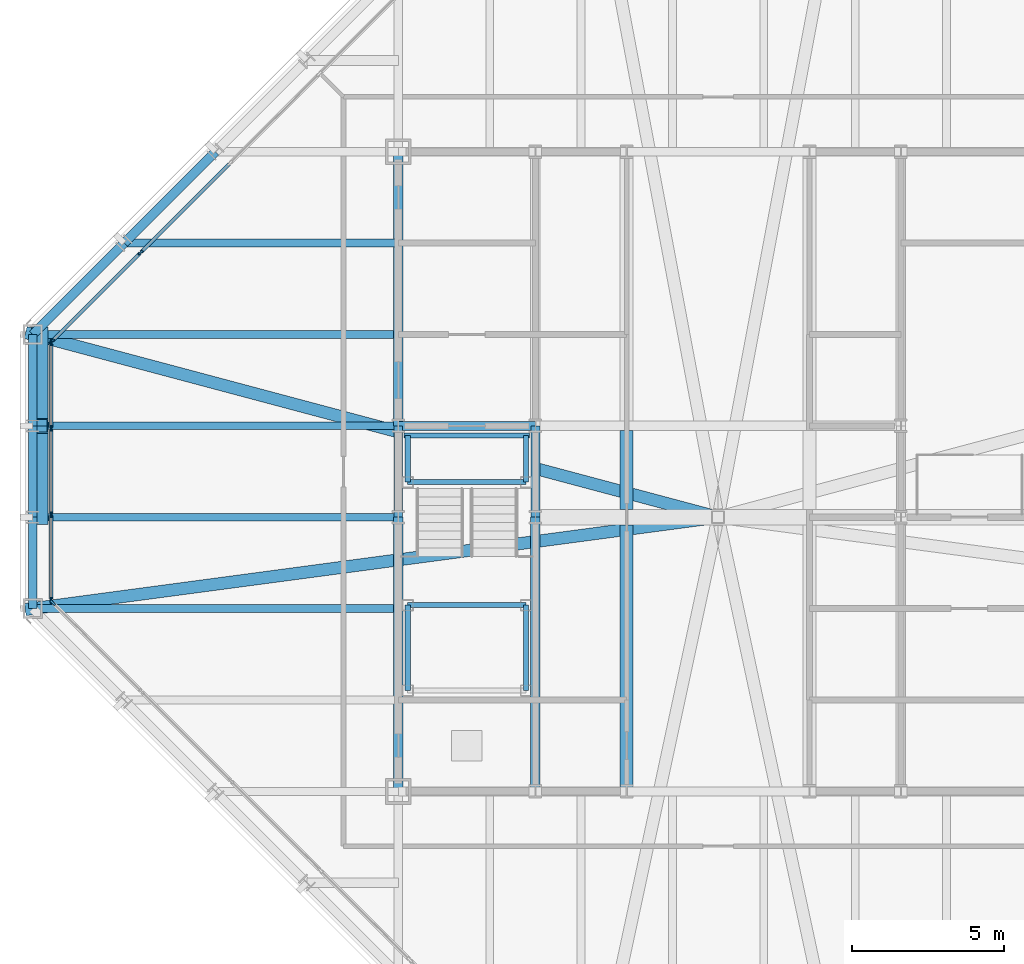
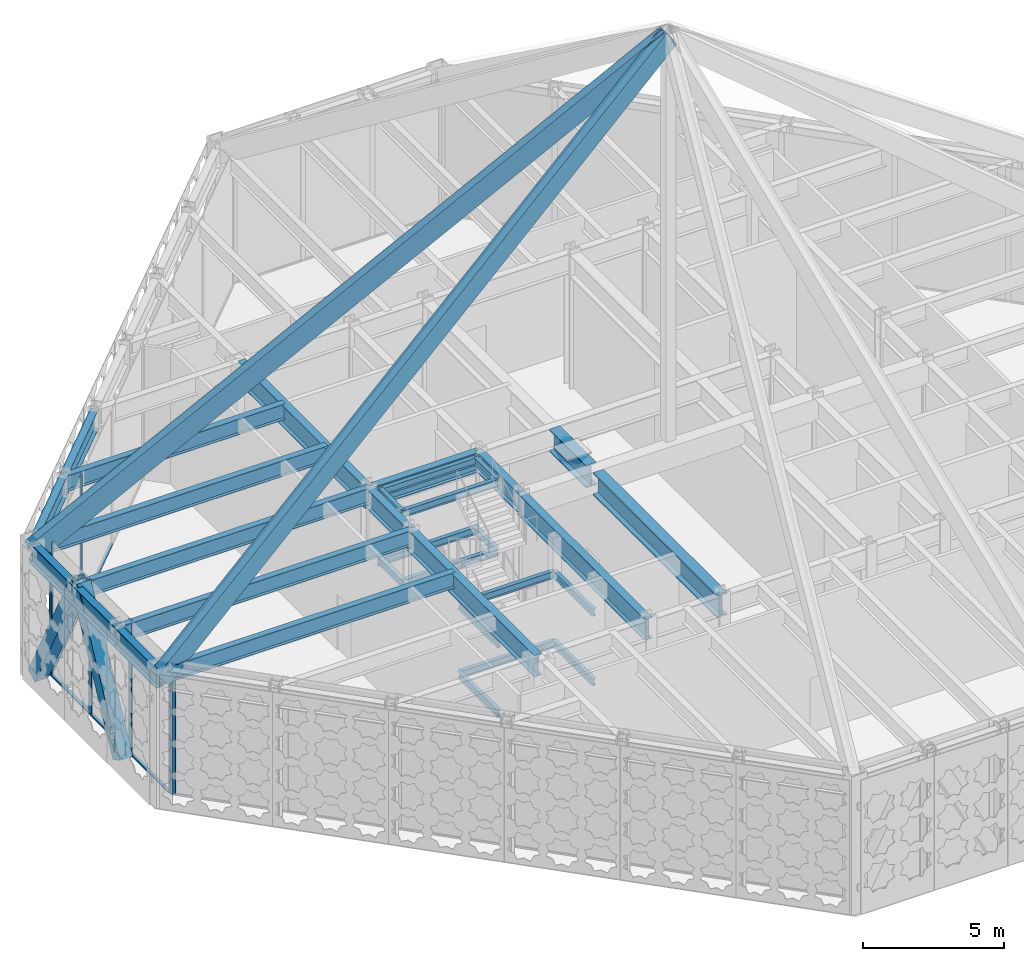
# One storey, part 6 of 30: 32 beams, 16 members, 3 elements without a shape of their own.
"""IFC4 building model written with IfcOpenShell, lengths in metres."""

from ifc_helpers import new_model, si_unit, direction, frame, origin, origin_2d, place, context, subcontext, project, spatial, rectangle, hollow_rectangle, i_section, extrude, material, layer, layer_set, material_profile, profile_set, type_object, element, aggregate, save


model = new_model("IFC4")

# Units and contexts
model_context = context("Model", 3, precision=1e-05, world=origin(), true_north=direction((0.0, 1.0)))
body_context = subcontext(model_context, "Body", "Model", "MODEL_VIEW")
ifc_project = project(units=[si_unit("LENGTHUNIT", "METRE"), si_unit("AREAUNIT", "SQUARE_METRE"), si_unit("VOLUMEUNIT", "CUBIC_METRE"), si_unit("PLANEANGLEUNIT", "RADIAN"), si_unit("MASSUNIT", "GRAM", prefix="KILO")], contexts=[model_context])

# Site, building, storey
site_placement = place(None, origin())
site = spatial("IfcSite", under=ifc_project, at=site_placement, CompositionType="ELEMENT")
building_placement = place(site_placement, origin())
building = spatial("IfcBuilding", under=site, at=building_placement, Name="Chuquiago Exchange Tower", CompositionType="ELEMENT")
storey_placement = place(building_placement, frame((0.0, 0.0, 306.0)))
storey = spatial("IfcBuildingStorey", under=building, at=storey_placement, Name="L68", CompositionType="ELEMENT", Elevation=306.0)

# Beams
ifc_material_1 = material(Name="Steel ASTM A992", Category="steel")
ifc_material_profile_1 = material_profile(ifc_material_1, i_section(OverallWidth=0.25390625, OverallDepth=0.683349609375, WebThickness=0.012451171875, FlangeThickness=0.018798828125, at=origin_2d()), Name="W27X94")
ifc_profile_set_1 = profile_set([ifc_material_profile_1], Name="Steel ASTM A992")
beam_type_1 = type_object("IfcBeamType", Name="B1 W27X94", PredefinedType="BEAM", material=ifc_profile_set_1)
for number, where, z_axis, x_axis, name in (
    (1, (12.0, 18.0, 5.45849609375), (-1.0, 0.0, 0.0), (0.0, -1.0, 0.0), "FB-ROOF-infill-12_18--0_18"),
    (2, (12.0, 21.0, 5.45849609375), (-1.0, 0.0, 0.0), (0.0, -1.0, 0.0), "FB-ROOF-infill-12_21--0_21"),
    (3, (12.0, 24.0, 5.45849609375), (-1.0, 0.0, 0.0), (0.0, -1.0, 0.0), "FB-ROOF-infill-12_24--0_24"),
    (4, (12.0, 27.0, 5.45849609375), (-1.0, 0.0, 0.0), (0.0, -1.0, 0.0), "FB-ROOF-infill-12_27--0_27"),
):
    element("IfcBeam", number, at=place(storey_placement, frame(where, z_axis=z_axis, x_axis=x_axis)), inside=storey, type_object=beam_type_1, Name=name, PredefinedType="BEAM", context=body_context, shape_type="SweptSolid", body=[
        extrude(i_section(OverallWidth=0.25390625, OverallDepth=0.683349609375, WebThickness=0.012451171875, FlangeThickness=0.018798828125, at=origin_2d()), origin(), (0.0, 0.0, 1.0), 12.0),
    ])
beam_1_placement = place(storey_placement, frame((12.0, 30.0, 5.45849609375), z_axis=(-1.0, 0.0, 0.0), x_axis=(0.0, -1.0, 0.0)))
element("IfcBeam", 5, at=beam_1_placement, inside=storey, type_object=beam_type_1, Name="FB-ROOF-infill-12_30-3_30", PredefinedType="BEAM", context=body_context, shape_type="SweptSolid", body=[
    extrude(i_section(OverallWidth=0.25390625, OverallDepth=0.683349609375, WebThickness=0.012451171875, FlangeThickness=0.018798828125, at=origin_2d()), origin(), (0.0, 0.0, 1.0), 9.0),
])
ifc_material_2 = material(Name="Steel ASTM A992", Category="steel")
ifc_material_profile_2 = material_profile(ifc_material_2, i_section(OverallWidth=0.307373046875, OverallDepth=0.927001953125, WebThickness=0.01953125, FlangeThickness=0.031982421875, at=origin_2d()), Name="W36X194")
ifc_profile_set_2 = profile_set([ifc_material_profile_2], Name="Steel ASTM A992")
beam_type_2 = type_object("IfcBeamType", Name="B10 W36X194", PredefinedType="BEAM", material=ifc_profile_set_2)
for number, where, z_axis, x_axis, name in (
    (6, (12.0, 12.0, 5.33642578125), (0.0, 1.0, 0.0), (-1.0, 0.0, 0.0), "CB-ROOF-12_12-12_21"),
    (7, (12.0, 24.0, 5.33642578125), (0.0, 1.0, 0.0), (-1.0, 0.0, 0.0), "CB-ROOF-12_24-12_33"),
    (8, (16.5, 12.0, 5.33642578125), (0.0, 1.0, 0.0), (-1.0, 0.0, 0.0), "CB-ROOF-16.5_12-16.5_21"),
):
    element("IfcBeam", number, at=place(storey_placement, frame(where, z_axis=z_axis, x_axis=x_axis)), inside=storey, type_object=beam_type_2, Name=name, PredefinedType="BEAM", context=body_context, shape_type="SweptSolid", body=[
        extrude(i_section(OverallWidth=0.307373046875, OverallDepth=0.927001953125, WebThickness=0.01953125, FlangeThickness=0.031982421875, at=origin_2d()), origin(), (0.0, 0.0, 1.0), 9.0),
    ])
ifc_material_3 = material(Name="Steel ASTM A992", Category="steel")
ifc_material_profile_3 = material_profile(ifc_material_3, i_section(OverallWidth=0.4267578125, OverallDepth=0.975341796875, WebThickness=0.031005859375, FlangeThickness=0.055908203125, at=origin_2d()), Name="W36X395")
ifc_profile_set_3 = profile_set([ifc_material_profile_3], Name="Steel ASTM A992")
beam_type_3 = type_object("IfcBeamType", Name="B12 W36X395", PredefinedType="BEAM", material=ifc_profile_set_3)
beam_2_placement = place(storey_placement, frame((19.5, 12.0, 5.312255859375), z_axis=(0.0, 1.0, 0.0), x_axis=(-1.0, 0.0, 0.0)))
element("IfcBeam", 9, at=beam_2_placement, inside=storey, type_object=beam_type_3, Name="CB-ROOF-19.5_12-19.5_20.75", PredefinedType="BEAM", context=body_context, shape_type="SweptSolid", body=[
    extrude(i_section(OverallWidth=0.4267578125, OverallDepth=0.975341796875, WebThickness=0.031005859375, FlangeThickness=0.055908203125, at=origin_2d()), origin(), (0.0, 0.0, 1.0), 8.75),
])
beam_3_placement = place(storey_placement, frame((19.5, 21.25, 5.312255859375), z_axis=(0.0, 1.0, 0.0), x_axis=(-1.0, 0.0, 0.0)))
element("IfcBeam", 10, at=beam_3_placement, inside=storey, type_object=beam_type_3, Name="CB-ROOF-19.5_21.25-19.5_23.8451", PredefinedType="BEAM", context=body_context, shape_type="SweptSolid", body=[
    extrude(i_section(OverallWidth=0.4267578125, OverallDepth=0.975341796875, WebThickness=0.031005859375, FlangeThickness=0.055908203125, at=origin_2d()), origin(), (0.0, 0.0, 1.0), 2.59521484375),
])
ifc_material_4 = material(Name="Steel ASTM A992", Category="steel")
ifc_material_profile_4 = material_profile(ifc_material_4, i_section(OverallWidth=0.2919921875, OverallDepth=0.8583984375, WebThickness=0.01708984375, FlangeThickness=0.031005859375, at=origin_2d()), Name="W33X169")
ifc_profile_set_4 = profile_set([ifc_material_profile_4], Name="Steel ASTM A992")
beam_type_4 = type_object("IfcBeamType", Name="B3 W33X169", PredefinedType="BEAM", material=ifc_profile_set_4)
for number, where, z_axis, x_axis, name in (
    (11, (12.0, 21.0, 5.37060546875), (0.0, 1.0, 0.0), (-1.0, 0.0, 0.0), "CB-ROOF-12_21-12_24"),
    (12, (16.5, 21.0, 5.37060546875), (0.0, 1.0, 0.0), (-1.0, 0.0, 0.0), "CB-ROOF-16.5_21-16.5_24"),
):
    element("IfcBeam", number, at=place(storey_placement, frame(where, z_axis=z_axis, x_axis=x_axis)), inside=storey, type_object=beam_type_4, Name=name, PredefinedType="BEAM", context=body_context, shape_type="SweptSolid", body=[
        extrude(i_section(OverallWidth=0.2919921875, OverallDepth=0.8583984375, WebThickness=0.01708984375, FlangeThickness=0.031005859375, at=origin_2d()), origin(), (0.0, 0.0, 1.0), 3.0),
    ])
beam_4_placement = place(storey_placement, frame((12.0, 24.0, 5.37060546875), z_axis=(1.0, 0.0, 0.0), x_axis=(0.0, 1.0, 0.0)))
element("IfcBeam", 13, at=beam_4_placement, inside=storey, type_object=beam_type_4, Name="CB-ROOF-12_24-16.5_24", PredefinedType="BEAM", context=body_context, shape_type="SweptSolid", body=[
    extrude(i_section(OverallWidth=0.2919921875, OverallDepth=0.8583984375, WebThickness=0.01708984375, FlangeThickness=0.031005859375, at=origin_2d()), origin(), (0.0, 0.0, 1.0), 4.5),
])

# Members
ifc_material_5 = material(Name="Steel ASTM A572 Grade 50", Category="steel")
ifc_material_profile_5 = material_profile(ifc_material_5, hollow_rectangle(XDim=0.39990234375, YDim=0.800048828125, WallThickness=0.0400390625, at=origin_2d()), Name="BOX800X400X40")
ifc_profile_set_5 = profile_set([ifc_material_profile_5], Name="Steel ASTM A572 Grade 50")
member_type_1 = type_object("IfcMemberType", Name="CR1 BOX800X400X40", PredefinedType="RAFTER", material=ifc_profile_set_5)
member_1_placement = place(storey_placement, frame((0.0, 27.0, 5.39501953125), z_axis=(0.764734519557, -0.203929205215, 0.611223358404), x_axis=(0.25766265056, 0.966234939601, 0.0)))
element("IfcMember", 14, at=member_1_placement, inside=storey, type_object=member_type_1, Name="Crown hip rafter at 0_27", PredefinedType="RAFTER", context=body_context, shape_type="SweptSolid", body=[
    extrude(hollow_rectangle(XDim=0.39990234375, YDim=0.800048828125, WallThickness=0.0400390625, at=origin_2d()), origin(), (0.0, 0.0, 1.0), 29.421875),
])
member_2_placement = place(storey_placement, frame((0.0, 18.0, 5.358154296875), z_axis=(0.776670559618, 0.103556074616, 0.621336447694), x_axis=(-0.132163720091, 0.991227900683, 0.0)))
element("IfcMember", 15, at=member_2_placement, inside=storey, type_object=member_type_1, Name="Crown hip rafter at 0_18", PredefinedType="RAFTER", context=body_context, shape_type="SweptSolid", body=[
    extrude(hollow_rectangle(XDim=0.39990234375, YDim=0.800048828125, WallThickness=0.0400390625, at=origin_2d()), origin(), (0.0, 0.0, 1.0), 28.9697265625),
])

# Curtain wall, members
ifc_material_6 = material(Name="Aluminium curtain wall system", Category="aluminium")
ifc_layer = layer(ifc_material_6, 0.199951171875)
ifc_layer_set = layer_set([ifc_layer], Name="CW5 lantern curtain wall")
curtain_wall_type = type_object("IfcCurtainWallType", Name="CW5 lantern curtain wall", PredefinedType="NOTDEFINED", material=ifc_layer_set)
curtain_wall_1_placement = place(storey_placement, origin())
curtain_wall_1 = element("IfcCurtainWall", 16, at=curtain_wall_1_placement, inside=storey, type_object=curtain_wall_type, Name="CW5 curtain wall L68", PredefinedType="NOTDEFINED")
ifc_material_7 = material(Name="Aluminium mullion, pale anodised", Category="aluminium")
ifc_material_profile_6 = material_profile(ifc_material_7, rectangle(XDim=0.06005859375, YDim=0.199951171875, at=origin_2d()), Name="AL 60x200")
ifc_profile_set_6 = profile_set([ifc_material_profile_6], Name="Aluminium mullion, pale anodised")
member_type_2 = type_object("IfcMemberType", Name="CW5-M mullion 60x200", PredefinedType="MULLION", material=ifc_profile_set_6)
member_3_placement = place(storey_placement, frame((3.53564453125, 29.68701171875, 0.0), z_axis=(0.0, 0.0, 1.0), x_axis=(0.707104773852, -0.707108788515, 0.0)))
member_3 = element("IfcMember", 17, at=member_3_placement, type_object=member_type_2, Name="CW5 mullion 6", PredefinedType="MULLION", context=body_context, shape_type="SweptSolid", body=[
    extrude(rectangle(XDim=0.06005859375, YDim=0.199951171875, at=origin_2d()), origin(), (0.0, 0.0, 1.0), 5.800048828125),
])
member_4_placement = place(storey_placement, frame((0.62109375, 26.772705078125, 0.0), z_axis=(0.0, 0.0, 1.0), x_axis=(0.707104773852, -0.707108788515, 0.0)))
member_4 = element("IfcMember", 18, at=member_4_placement, type_object=member_type_2, Name="CW5 mullion 7", PredefinedType="MULLION", context=body_context, shape_type="SweptSolid", body=[
    extrude(rectangle(XDim=0.06005859375, YDim=0.199951171875, at=origin_2d()), origin(), (0.0, 0.0, 1.0), 5.800048828125),
])

curtain_wall_2_placement = place(storey_placement, origin())
curtain_wall_2 = element("IfcCurtainWall", 19, at=curtain_wall_2_placement, inside=storey, type_object=curtain_wall_type, Name="CW5 curtain wall L68", PredefinedType="NOTDEFINED")
member_5_placement = place(storey_placement, frame((0.60009765625, 26.721435546875, 0.0), z_axis=(0.0, 0.0, 1.0), x_axis=(1.0, 0.0, 0.0)))
member_5 = element("IfcMember", 20, at=member_5_placement, type_object=member_type_2, Name="CW5 mullion 1", PredefinedType="MULLION", context=body_context, shape_type="SweptSolid", body=[
    extrude(rectangle(XDim=0.06005859375, YDim=0.199951171875, at=origin_2d()), origin(), (0.0, 0.0, 1.0), 5.800048828125),
])
member_6_placement = place(storey_placement, frame((0.60009765625, 23.917236328125, 0.0), z_axis=(0.0, 0.0, 1.0), x_axis=(1.0, 0.0, 0.0)))
member_6 = element("IfcMember", 21, at=member_6_placement, type_object=member_type_2, Name="CW5 mullion 2", PredefinedType="MULLION", context=body_context, shape_type="SweptSolid", body=[
    extrude(rectangle(XDim=0.06005859375, YDim=0.199951171875, at=origin_2d()), origin(), (0.0, 0.0, 1.0), 5.800048828125),
])
member_7_placement = place(storey_placement, frame((0.60009765625, 21.082763671875, 0.0), z_axis=(0.0, 0.0, 1.0), x_axis=(1.0, 0.0, 0.0)))
member_7 = element("IfcMember", 22, at=member_7_placement, type_object=member_type_2, Name="CW5 mullion 3", PredefinedType="MULLION", context=body_context, shape_type="SweptSolid", body=[
    extrude(rectangle(XDim=0.06005859375, YDim=0.199951171875, at=origin_2d()), origin(), (0.0, 0.0, 1.0), 5.800048828125),
])
member_8_placement = place(storey_placement, frame((0.60009765625, 18.278564453125, 0.0), z_axis=(0.0, 0.0, 1.0), x_axis=(1.0, 0.0, 0.0)))
member_8 = element("IfcMember", 23, at=member_8_placement, type_object=member_type_2, Name="CW5 mullion 4", PredefinedType="MULLION", context=body_context, shape_type="SweptSolid", body=[
    extrude(rectangle(XDim=0.06005859375, YDim=0.199951171875, at=origin_2d()), origin(), (0.0, 0.0, 1.0), 5.800048828125),
])

# Curtain wall, member
curtain_wall_3_placement = place(storey_placement, origin())
curtain_wall_3 = element("IfcCurtainWall", 24, at=curtain_wall_3_placement, inside=storey, type_object=curtain_wall_type, Name="CW5 curtain wall L68", PredefinedType="NOTDEFINED")
member_9_placement = place(storey_placement, frame((0.656494140625, 18.19189453125, 0.0), z_axis=(0.0, 0.0, 1.0), x_axis=(0.707108788515, 0.707104773852, 0.0)))
member_9 = element("IfcMember", 25, at=member_9_placement, type_object=member_type_2, Name="CW5 mullion 1", PredefinedType="MULLION", context=body_context, shape_type="SweptSolid", body=[
    extrude(rectangle(XDim=0.06005859375, YDim=0.199951171875, at=origin_2d()), origin(), (0.0, 0.0, 1.0), 5.800048828125),
])
aggregate(curtain_wall_3, [member_9])

# Member
ifc_material_8 = material(Name="Aluminium transom, pale anodised", Category="aluminium")
ifc_material_profile_7 = material_profile(ifc_material_8, rectangle(XDim=0.1201171875, YDim=0.06005859375, at=origin_2d()), Name="AL 120x60")
ifc_profile_set_7 = profile_set([ifc_material_profile_7], Name="Aluminium transom, pale anodised")
member_type_3 = type_object("IfcMemberType", Name="CW5-T transom 60x120", PredefinedType="MULLION", material=ifc_profile_set_7)
member_10_placement = place(storey_placement, frame((6.449951171875, 32.601318359375, 0.030029296875), z_axis=(-0.707136615027, -0.707076946087, 0.0), x_axis=(0.707076946087, -0.707136615027, 0.0)))
member_10 = element("IfcMember", 26, at=member_10_placement, type_object=member_type_3, Name="CW5 transom 5.1", PredefinedType="MULLION", context=body_context, shape_type="SweptSolid", body=[
    extrude(rectangle(XDim=0.1201171875, YDim=0.06005859375, at=origin_2d()), origin(), (0.0, 0.0, 1.0), 4.091552734375),
])

member_11_placement = place(storey_placement, frame((3.514404296875, 29.665771484375, 0.030029296875), z_axis=(-0.707136835667, -0.707076725429, 0.0), x_axis=(0.707076725429, -0.707136835667, 0.0)))
member_11 = element("IfcMember", 27, at=member_11_placement, type_object=member_type_3, Name="CW5 transom 6.1", PredefinedType="MULLION", context=body_context, shape_type="SweptSolid", body=[
    extrude(rectangle(XDim=0.1201171875, YDim=0.06005859375, at=origin_2d()), origin(), (0.0, 0.0, 1.0), 4.0615234375),
])

aggregate(curtain_wall_1, [member_3, member_4, member_10, member_11])

member_12_placement = place(storey_placement, frame((0.60009765625, 26.69140625, 0.030029296875), z_axis=(0.0, -1.0, 0.0), x_axis=(1.0, 0.0, 0.0)))
member_12 = element("IfcMember", 28, at=member_12_placement, type_object=member_type_3, Name="CW5 transom 1.1", PredefinedType="MULLION", context=body_context, shape_type="SweptSolid", body=[
    extrude(rectangle(XDim=0.1201171875, YDim=0.06005859375, at=origin_2d()), origin(), (0.0, 0.0, 1.0), 2.744140625),
])

member_13_placement = place(storey_placement, frame((0.60009765625, 23.88720703125, 0.030029296875), z_axis=(0.0, -1.0, 0.0), x_axis=(1.0, 0.0, 0.0)))
member_13 = element("IfcMember", 29, at=member_13_placement, type_object=member_type_3, Name="CW5 transom 2.1", PredefinedType="MULLION", context=body_context, shape_type="SweptSolid", body=[
    extrude(rectangle(XDim=0.1201171875, YDim=0.06005859375, at=origin_2d()), origin(), (0.0, 0.0, 1.0), 2.7744140625),
])

member_14_placement = place(storey_placement, frame((0.60009765625, 21.052734375, 0.030029296875), z_axis=(0.0, -1.0, 0.0), x_axis=(1.0, 0.0, 0.0)))
member_14 = element("IfcMember", 30, at=member_14_placement, type_object=member_type_3, Name="CW5 transom 3.1", PredefinedType="MULLION", context=body_context, shape_type="SweptSolid", body=[
    extrude(rectangle(XDim=0.1201171875, YDim=0.06005859375, at=origin_2d()), origin(), (0.0, 0.0, 1.0), 2.744140625),
])

aggregate(curtain_wall_2, [member_5, member_6, member_7, member_8, member_12, member_13, member_14])

# Beams
ifc_material_9 = material(Name="Steel ASTM A992", Category="steel")
ifc_material_profile_8 = material_profile(ifc_material_9, i_section(OverallWidth=0.164794921875, OverallDepth=0.309814453125, WebThickness=0.005859375, FlangeThickness=0.009765625, at=origin_2d()), Name="W12X26")
ifc_profile_set_8 = profile_set([ifc_material_profile_8], Name="Steel ASTM A992")
beam_type_5 = type_object("IfcBeamType", Name="LS1 W12X26", PredefinedType="BEAM", material=ifc_profile_set_8)
for number, where, z_axis, x_axis, name in (
    (31, (12.31005859375, 15.31005859375, 1.14501953125), (0.0, 1.0, 0.0), (-1.0, 0.0, 0.0), "Stair ST1 L68 landing 1 stringer"),
    (32, (16.18994140625, 15.31005859375, 1.14501953125), (0.0, 1.0, 0.0), (-1.0, 0.0, 0.0), "Stair ST1 L68 landing 1 stringer"),
):
    element("IfcBeam", number, at=place(storey_placement, frame(where, z_axis=z_axis, x_axis=x_axis)), inside=storey, type_object=beam_type_5, Name=name, PredefinedType="BEAM", context=body_context, shape_type="SweptSolid", body=[
        extrude(i_section(OverallWidth=0.164794921875, OverallDepth=0.309814453125, WebThickness=0.005859375, FlangeThickness=0.009765625, at=origin_2d()), origin(), (0.0, 0.0, 1.0), 2.800048828125),
    ])
for number, where, z_axis, x_axis, name in (
    (33, (12.31005859375, 22.14990234375, 2.64501953125), (0.0, 1.0, 0.0), (-1.0, 0.0, 0.0), "Stair ST1 L68 landing 2 stringer"),
    (34, (16.18994140625, 22.14990234375, 2.64501953125), (0.0, 1.0, 0.0), (-1.0, 0.0, 0.0), "Stair ST1 L68 landing 2 stringer"),
):
    element("IfcBeam", number, at=place(storey_placement, frame(where, z_axis=z_axis, x_axis=x_axis)), inside=storey, type_object=beam_type_5, Name=name, PredefinedType="BEAM", context=body_context, shape_type="SweptSolid", body=[
        extrude(i_section(OverallWidth=0.164794921875, OverallDepth=0.309814453125, WebThickness=0.005859375, FlangeThickness=0.009765625, at=origin_2d()), origin(), (0.0, 0.0, 1.0), 1.5400390625),
    ])
for number, where, z_axis, x_axis, name in (
    (35, (12.31005859375, 15.31005859375, 4.14501953125), (0.0, 1.0, 0.0), (-1.0, 0.0, 0.0), "Stair ST1 L68 landing 3 stringer"),
    (36, (16.18994140625, 15.31005859375, 4.14501953125), (0.0, 1.0, 0.0), (-1.0, 0.0, 0.0), "Stair ST1 L68 landing 3 stringer"),
):
    element("IfcBeam", number, at=place(storey_placement, frame(where, z_axis=z_axis, x_axis=x_axis)), inside=storey, type_object=beam_type_5, Name=name, PredefinedType="BEAM", context=body_context, shape_type="SweptSolid", body=[
        extrude(i_section(OverallWidth=0.164794921875, OverallDepth=0.309814453125, WebThickness=0.005859375, FlangeThickness=0.009765625, at=origin_2d()), origin(), (0.0, 0.0, 1.0), 2.800048828125),
    ])
for number, where, z_axis, x_axis, name in (
    (37, (12.31005859375, 22.14990234375, 5.64501953125), (0.0, 1.0, 0.0), (-1.0, 0.0, 0.0), "Stair ST1 top landing stringer"),
    (38, (16.18994140625, 22.14990234375, 5.64501953125), (0.0, 1.0, 0.0), (-1.0, 0.0, 0.0), "Stair ST1 top landing stringer"),
):
    element("IfcBeam", number, at=place(storey_placement, frame(where, z_axis=z_axis, x_axis=x_axis)), inside=storey, type_object=beam_type_5, Name=name, PredefinedType="BEAM", context=body_context, shape_type="SweptSolid", body=[
        extrude(i_section(OverallWidth=0.164794921875, OverallDepth=0.309814453125, WebThickness=0.005859375, FlangeThickness=0.009765625, at=origin_2d()), origin(), (0.0, 0.0, 1.0), 1.5400390625),
    ])
ifc_material_10 = material(Name="Steel ASTM A992", Category="steel")
ifc_material_profile_9 = material_profile(ifc_material_10, i_section(OverallWidth=0.164794921875, OverallDepth=0.309814453125, WebThickness=0.005859375, FlangeThickness=0.009765625, at=origin_2d()), Name="W12X26")
ifc_profile_set_9 = profile_set([ifc_material_profile_9], Name="Steel ASTM A992")
beam_type_6 = type_object("IfcBeamType", Name="LT1 W12X26", PredefinedType="BEAM", material=ifc_profile_set_9)
for number, where, z_axis, x_axis, name in (
    (39, (12.31005859375, 18.110107421875, 1.14501953125), (1.0, 0.0, 0.0), (0.0, 1.0, 0.0), "Stair ST1 L68 landing 1 trimmer"),
    (40, (12.31005859375, 22.14990234375, 2.64501953125), (1.0, 0.0, 0.0), (0.0, 1.0, 0.0), "Stair ST1 L68 landing 2 trimmer"),
):
    element("IfcBeam", number, at=place(storey_placement, frame(where, z_axis=z_axis, x_axis=x_axis)), inside=storey, type_object=beam_type_6, Name=name, PredefinedType="BEAM", context=body_context, shape_type="SweptSolid", body=[
        extrude(i_section(OverallWidth=0.164794921875, OverallDepth=0.309814453125, WebThickness=0.005859375, FlangeThickness=0.009765625, at=origin_2d()), origin(), (0.0, 0.0, 1.0), 3.8798828125),
    ])
beam_5_placement = place(storey_placement, frame((12.188232421875, 23.68994140625, 2.64501953125), z_axis=(1.0, 0.0, 0.0), x_axis=(0.0, 1.0, 0.0)))
element("IfcBeam", 41, at=beam_5_placement, inside=storey, type_object=beam_type_6, Name="Stair ST1 L68 landing 2 trimmer", PredefinedType="BEAM", context=body_context, shape_type="SweptSolid", body=[
    extrude(i_section(OverallWidth=0.164794921875, OverallDepth=0.309814453125, WebThickness=0.005859375, FlangeThickness=0.009765625, at=origin_2d()), origin(), (0.0, 0.0, 1.0), 4.12353515625),
])
for number, where, z_axis, x_axis, name in (
    (42, (12.31005859375, 18.110107421875, 4.14501953125), (1.0, 0.0, 0.0), (0.0, 1.0, 0.0), "Stair ST1 L68 landing 3 trimmer"),
    (43, (12.31005859375, 22.14990234375, 5.64501953125), (1.0, 0.0, 0.0), (0.0, 1.0, 0.0), "Stair ST1 top landing trimmer"),
):
    element("IfcBeam", number, at=place(storey_placement, frame(where, z_axis=z_axis, x_axis=x_axis)), inside=storey, type_object=beam_type_6, Name=name, PredefinedType="BEAM", context=body_context, shape_type="SweptSolid", body=[
        extrude(i_section(OverallWidth=0.164794921875, OverallDepth=0.309814453125, WebThickness=0.005859375, FlangeThickness=0.009765625, at=origin_2d()), origin(), (0.0, 0.0, 1.0), 3.8798828125),
    ])
beam_6_placement = place(storey_placement, frame((12.188232421875, 23.68994140625, 5.64501953125), z_axis=(1.0, 0.0, 0.0), x_axis=(0.0, 1.0, 0.0)))
element("IfcBeam", 44, at=beam_6_placement, inside=storey, type_object=beam_type_6, Name="Stair ST1 top landing trimmer", PredefinedType="BEAM", context=body_context, shape_type="SweptSolid", body=[
    extrude(i_section(OverallWidth=0.164794921875, OverallDepth=0.309814453125, WebThickness=0.005859375, FlangeThickness=0.009765625, at=origin_2d()), origin(), (0.0, 0.0, 1.0), 4.12353515625),
])

# Members
ifc_material_11 = material(Name="Steel ASTM A572 Grade 50", Category="steel")
ifc_material_profile_10 = material_profile(ifc_material_11, hollow_rectangle(XDim=0.550048828125, YDim=0.550048828125, WallThickness=0.044921875, at=origin_2d()), Name="BOX550X550X45")
ifc_profile_set_10 = profile_set([ifc_material_profile_10], Name="Steel ASTM A572 Grade 50")
member_type_4 = type_object("IfcMemberType", Name="MB4 BOX550X550X45", PredefinedType="BRACE", material=ifc_profile_set_10)
for number, where, z_axis, x_axis, name in (
    (45, (0.22998046875, 27.0, 0.0), (0.0, -0.459419867531, 0.88821922143), (1.0, 0.0, 0.0), "Mega diagonal L68 W face"),
    (46, (0.22998046875, 21.0, 0.0), (0.0, 0.459419867531, 0.88821922143), (-1.0, 0.0, 0.0), "Mega diagonal L68 W face"),
):
    element("IfcMember", number, at=place(storey_placement, frame(where, z_axis=z_axis, x_axis=x_axis)), inside=storey, type_object=member_type_4, Name=name, PredefinedType="BRACE", context=body_context, shape_type="SweptSolid", body=[
        extrude(hollow_rectangle(XDim=0.550048828125, YDim=0.550048828125, WallThickness=0.044921875, at=origin_2d()), origin(), (0.0, 0.0, 1.0), 6.530029296875),
    ])

# Beams
ifc_material_12 = material(Name="Steel ASTM A992", Category="steel")
ifc_material_profile_11 = material_profile(ifc_material_12, i_section(OverallWidth=0.2919921875, OverallDepth=0.8583984375, WebThickness=0.01708984375, FlangeThickness=0.031005859375, at=origin_2d()), Name="W33X169")
ifc_profile_set_11 = profile_set([ifc_material_profile_11], Name="Steel ASTM A992")
beam_type_7 = type_object("IfcBeamType", Name="SP4 W33X169", PredefinedType="SPANDREL", material=ifc_profile_set_11)
for number, where, z_axis, x_axis, name in (
    (47, (6.0, 33.0, 5.37060546875), (-0.707106781187, -0.707106781187, 0.0), (0.707106781187, -0.707106781187, 0.0), "SPB-ROOF-6_33-3_30"),
    (48, (3.0, 30.0, 5.37060546875), (-0.707106781187, -0.707106781187, 0.0), (0.707106781187, -0.707106781187, 0.0), "SPB-ROOF-3_30-0_27"),
):
    element("IfcBeam", number, at=place(storey_placement, frame(where, z_axis=z_axis, x_axis=x_axis)), inside=storey, type_object=beam_type_7, Name=name, PredefinedType="SPANDREL", context=body_context, shape_type="SweptSolid", body=[
        extrude(i_section(OverallWidth=0.2919921875, OverallDepth=0.8583984375, WebThickness=0.01708984375, FlangeThickness=0.031005859375, at=origin_2d()), origin(), (0.0, 0.0, 1.0), 4.24267578125),
    ])
for number, where, z_axis, x_axis, name in (
    (49, (0.0, 27.0, 5.37060546875), (0.0, -1.0, 0.0), (1.0, 0.0, 0.0), "SPB-ROOF-0_27-0_24"),
    (50, (0.0, 24.0, 5.37060546875), (0.0, -1.0, 0.0), (1.0, 0.0, 0.0), "SPB-ROOF-0_24-0_21"),
    (51, (0.0, 21.0, 5.37060546875), (0.0, -1.0, 0.0), (1.0, 0.0, 0.0), "SPB-ROOF-0_21-0_18"),
):
    element("IfcBeam", number, at=place(storey_placement, frame(where, z_axis=z_axis, x_axis=x_axis)), inside=storey, type_object=beam_type_7, Name=name, PredefinedType="SPANDREL", context=body_context, shape_type="SweptSolid", body=[
        extrude(i_section(OverallWidth=0.2919921875, OverallDepth=0.8583984375, WebThickness=0.01708984375, FlangeThickness=0.031005859375, at=origin_2d()), origin(), (0.0, 0.0, 1.0), 3.0),
    ])

save(model, "model.ifc")
